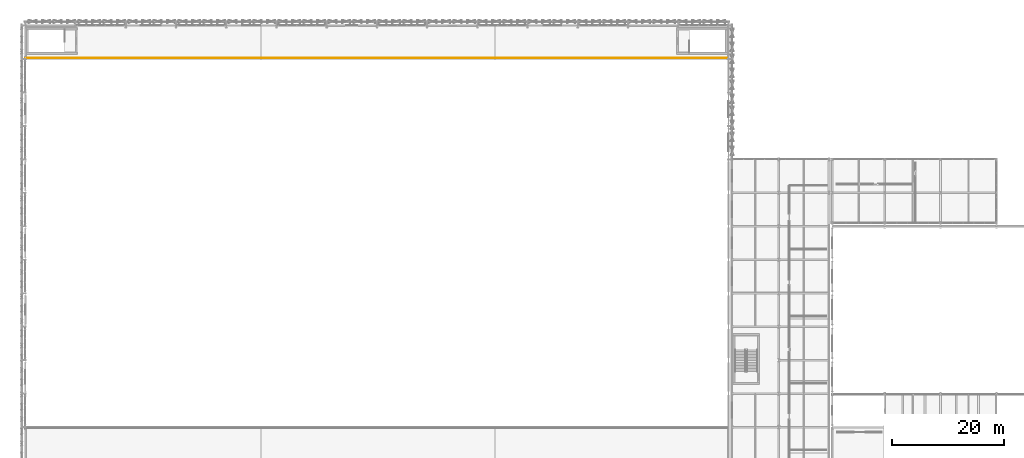
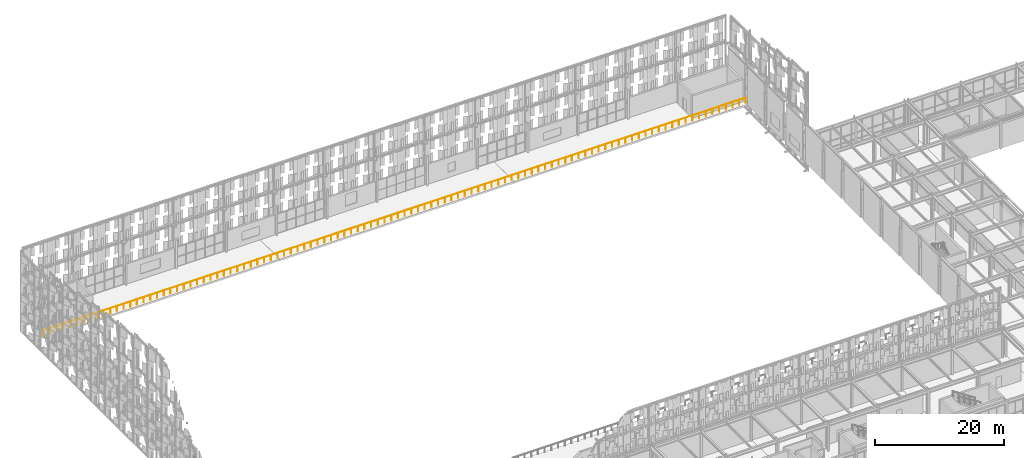
# One storey, part 197 of 210: 1 railing.
"""IFC4 building model written with IfcOpenShell, lengths in metres."""

from ifc_helpers import new_model, si_unit, direction, frame, origin, origin_2d, place, context, subcontext, project, spatial, circle, extrude, material, type_object, element, save


model = new_model("IFC4")

# Units and contexts
model_context = context("Model", 3, precision=1e-05, world=origin(), true_north=direction((0.0, 1.0)))
body_context = subcontext(model_context, "Body", "Model", "MODEL_VIEW")
ifc_project = project(units=[si_unit("LENGTHUNIT", "METRE"), si_unit("AREAUNIT", "SQUARE_METRE"), si_unit("VOLUMEUNIT", "CUBIC_METRE"), si_unit("PLANEANGLEUNIT", "RADIAN"), si_unit("MASSUNIT", "GRAM", prefix="KILO")], contexts=[model_context])

# Site, building, storey
site_placement = place(None, origin())
site = spatial("IfcSite", under=ifc_project, at=site_placement, CompositionType="ELEMENT")
building_placement = place(site_placement, origin())
building = spatial("IfcBuilding", under=site, at=building_placement, Name="Kaldris Quays Convention Centre", CompositionType="ELEMENT")
storey_placement = place(building_placement, frame((0.0, 0.0, 6.0)))
storey = spatial("IfcBuildingStorey", under=building, at=storey_placement, Name="L01", CompositionType="ELEMENT", Elevation=6.0)

# Railing
ifc_material = material(Name="Steel S355J2", Category="steel")
railing_type = type_object("IfcRailingType", Name="INTERIOR GUARDRAIL GR01", PredefinedType="GUARDRAIL", material=ifc_material)
railing_placement = place(storey_placement, frame((20.050048828125, 134.14990234375, 0.0)))
element("IfcRailing", 1, at=railing_placement, inside=storey, type_object=railing_type, Name="L01 Gallery Balustrade GRD-V1-GALN", PredefinedType="GUARDRAIL", context=body_context, shape_type="SweptSolid", body=[
    extrude(circle(Radius=0.02392578125, at=origin_2d()), frame((0.0, 0.0, 1.076171875), z_axis=(1.0, 0.0, 0.0), x_axis=(0.0, 1.0, 0.0)), (0.0, 0.0, 1.0), 125.89990234375),
    extrude(circle(Radius=0.02099609375, at=origin_2d()), origin(), (0.0, 0.0, 1.0), 1.052001953125),
    extrude(circle(Radius=0.02099609375, at=origin_2d()), frame((1.198974609375, 0.0, 0.0)), (0.0, 0.0, 1.0), 1.052001953125),
    extrude(circle(Radius=0.02099609375, at=origin_2d()), frame((2.398193359375, 0.0, 0.0)), (0.0, 0.0, 1.0), 1.052001953125),
    extrude(circle(Radius=0.02099609375, at=origin_2d()), frame((3.59716796875, 0.0, 0.0)), (0.0, 0.0, 1.0), 1.052001953125),
    extrude(circle(Radius=0.02099609375, at=origin_2d()), frame((4.796142578125, 0.0, 0.0)), (0.0, 0.0, 1.0), 1.052001953125),
    extrude(circle(Radius=0.02099609375, at=origin_2d()), frame((5.9951171875, 0.0, 0.0)), (0.0, 0.0, 1.0), 1.052001953125),
    extrude(circle(Radius=0.02099609375, at=origin_2d()), frame((7.1943359375, 0.0, 0.0)), (0.0, 0.0, 1.0), 1.052001953125),
    extrude(circle(Radius=0.02099609375, at=origin_2d()), frame((8.393310546875, 0.0, 0.0)), (0.0, 0.0, 1.0), 1.052001953125),
    extrude(circle(Radius=0.02099609375, at=origin_2d()), frame((9.59228515625, 0.0, 0.0)), (0.0, 0.0, 1.0), 1.052001953125),
    extrude(circle(Radius=0.02099609375, at=origin_2d()), frame((10.79150390625, 0.0, 0.0)), (0.0, 0.0, 1.0), 1.052001953125),
    extrude(circle(Radius=0.02099609375, at=origin_2d()), frame((11.990478515625, 0.0, 0.0)), (0.0, 0.0, 1.0), 1.052001953125),
    extrude(circle(Radius=0.02099609375, at=origin_2d()), frame((13.189453125, 0.0, 0.0)), (0.0, 0.0, 1.0), 1.052001953125),
    extrude(circle(Radius=0.02099609375, at=origin_2d()), frame((14.388671875, 0.0, 0.0)), (0.0, 0.0, 1.0), 1.052001953125),
    extrude(circle(Radius=0.02099609375, at=origin_2d()), frame((15.587646484375, 0.0, 0.0)), (0.0, 0.0, 1.0), 1.052001953125),
    extrude(circle(Radius=0.02099609375, at=origin_2d()), frame((16.78662109375, 0.0, 0.0)), (0.0, 0.0, 1.0), 1.052001953125),
    extrude(circle(Radius=0.02099609375, at=origin_2d()), frame((17.985595703125, 0.0, 0.0)), (0.0, 0.0, 1.0), 1.052001953125),
    extrude(circle(Radius=0.02099609375, at=origin_2d()), frame((19.184814453125, 0.0, 0.0)), (0.0, 0.0, 1.0), 1.052001953125),
    extrude(circle(Radius=0.02099609375, at=origin_2d()), frame((20.3837890625, 0.0, 0.0)), (0.0, 0.0, 1.0), 1.052001953125),
    extrude(circle(Radius=0.02099609375, at=origin_2d()), frame((21.582763671875, 0.0, 0.0)), (0.0, 0.0, 1.0), 1.052001953125),
    extrude(circle(Radius=0.02099609375, at=origin_2d()), frame((22.781982421875, 0.0, 0.0)), (0.0, 0.0, 1.0), 1.052001953125),
    extrude(circle(Radius=0.02099609375, at=origin_2d()), frame((23.98095703125, 0.0, 0.0)), (0.0, 0.0, 1.0), 1.052001953125),
    extrude(circle(Radius=0.02099609375, at=origin_2d()), frame((25.179931640625, 0.0, 0.0)), (0.0, 0.0, 1.0), 1.052001953125),
    extrude(circle(Radius=0.02099609375, at=origin_2d()), frame((26.37890625, 0.0, 0.0)), (0.0, 0.0, 1.0), 1.052001953125),
    extrude(circle(Radius=0.02099609375, at=origin_2d()), frame((27.578125, 0.0, 0.0)), (0.0, 0.0, 1.0), 1.052001953125),
    extrude(circle(Radius=0.02099609375, at=origin_2d()), frame((28.777099609375, 0.0, 0.0)), (0.0, 0.0, 1.0), 1.052001953125),
    extrude(circle(Radius=0.02099609375, at=origin_2d()), frame((29.97607421875, 0.0, 0.0)), (0.0, 0.0, 1.0), 1.052001953125),
    extrude(circle(Radius=0.02099609375, at=origin_2d()), frame((31.17529296875, 0.0, 0.0)), (0.0, 0.0, 1.0), 1.052001953125),
    extrude(circle(Radius=0.02099609375, at=origin_2d()), frame((32.374267578125, 0.0, 0.0)), (0.0, 0.0, 1.0), 1.052001953125),
    extrude(circle(Radius=0.02099609375, at=origin_2d()), frame((33.5732421875, 0.0, 0.0)), (0.0, 0.0, 1.0), 1.052001953125),
    extrude(circle(Radius=0.02099609375, at=origin_2d()), frame((34.7724609375, 0.0, 0.0)), (0.0, 0.0, 1.0), 1.052001953125),
    extrude(circle(Radius=0.02099609375, at=origin_2d()), frame((35.971435546875, 0.0, 0.0)), (0.0, 0.0, 1.0), 1.052001953125),
    extrude(circle(Radius=0.02099609375, at=origin_2d()), frame((37.17041015625, 0.0, 0.0)), (0.0, 0.0, 1.0), 1.052001953125),
    extrude(circle(Radius=0.02099609375, at=origin_2d()), frame((38.369384765625, 0.0, 0.0)), (0.0, 0.0, 1.0), 1.052001953125),
    extrude(circle(Radius=0.02099609375, at=origin_2d()), frame((39.568603515625, 0.0, 0.0)), (0.0, 0.0, 1.0), 1.052001953125),
    extrude(circle(Radius=0.02099609375, at=origin_2d()), frame((40.767578125, 0.0, 0.0)), (0.0, 0.0, 1.0), 1.052001953125),
    extrude(circle(Radius=0.02099609375, at=origin_2d()), frame((41.966552734375, 0.0, 0.0)), (0.0, 0.0, 1.0), 1.052001953125),
    extrude(circle(Radius=0.02099609375, at=origin_2d()), frame((43.165771484375, 0.0, 0.0)), (0.0, 0.0, 1.0), 1.052001953125),
    extrude(circle(Radius=0.02099609375, at=origin_2d()), frame((44.36474609375, 0.0, 0.0)), (0.0, 0.0, 1.0), 1.052001953125),
    extrude(circle(Radius=0.02099609375, at=origin_2d()), frame((45.563720703125, 0.0, 0.0)), (0.0, 0.0, 1.0), 1.052001953125),
    extrude(circle(Radius=0.02099609375, at=origin_2d()), frame((46.762939453125, 0.0, 0.0)), (0.0, 0.0, 1.0), 1.052001953125),
    extrude(circle(Radius=0.02099609375, at=origin_2d()), frame((47.9619140625, 0.0, 0.0)), (0.0, 0.0, 1.0), 1.052001953125),
    extrude(circle(Radius=0.02099609375, at=origin_2d()), frame((49.160888671875, 0.0, 0.0)), (0.0, 0.0, 1.0), 1.052001953125),
    extrude(circle(Radius=0.02099609375, at=origin_2d()), frame((50.35986328125, 0.0, 0.0)), (0.0, 0.0, 1.0), 1.052001953125),
    extrude(circle(Radius=0.02099609375, at=origin_2d()), frame((51.55908203125, 0.0, 0.0)), (0.0, 0.0, 1.0), 1.052001953125),
    extrude(circle(Radius=0.02099609375, at=origin_2d()), frame((52.758056640625, 0.0, 0.0)), (0.0, 0.0, 1.0), 1.052001953125),
    extrude(circle(Radius=0.02099609375, at=origin_2d()), frame((53.95703125, 0.0, 0.0)), (0.0, 0.0, 1.0), 1.052001953125),
    extrude(circle(Radius=0.02099609375, at=origin_2d()), frame((55.15625, 0.0, 0.0)), (0.0, 0.0, 1.0), 1.052001953125),
    extrude(circle(Radius=0.02099609375, at=origin_2d()), frame((56.355224609375, 0.0, 0.0)), (0.0, 0.0, 1.0), 1.052001953125),
    extrude(circle(Radius=0.02099609375, at=origin_2d()), frame((57.55419921875, 0.0, 0.0)), (0.0, 0.0, 1.0), 1.052001953125),
    extrude(circle(Radius=0.02099609375, at=origin_2d()), frame((58.753173828125, 0.0, 0.0)), (0.0, 0.0, 1.0), 1.052001953125),
    extrude(circle(Radius=0.02099609375, at=origin_2d()), frame((59.952392578125, 0.0, 0.0)), (0.0, 0.0, 1.0), 1.052001953125),
    extrude(circle(Radius=0.02099609375, at=origin_2d()), frame((61.1513671875, 0.0, 0.0)), (0.0, 0.0, 1.0), 1.052001953125),
    extrude(circle(Radius=0.02099609375, at=origin_2d()), frame((62.350341796875, 0.0, 0.0)), (0.0, 0.0, 1.0), 1.052001953125),
    extrude(circle(Radius=0.02099609375, at=origin_2d()), frame((63.549560546875, 0.0, 0.0)), (0.0, 0.0, 1.0), 1.052001953125),
    extrude(circle(Radius=0.02099609375, at=origin_2d()), frame((64.74853515625, 0.0, 0.0)), (0.0, 0.0, 1.0), 1.052001953125),
    extrude(circle(Radius=0.02099609375, at=origin_2d()), frame((65.947509765625, 0.0, 0.0)), (0.0, 0.0, 1.0), 1.052001953125),
    extrude(circle(Radius=0.02099609375, at=origin_2d()), frame((67.146728515625, 0.0, 0.0)), (0.0, 0.0, 1.0), 1.052001953125),
    extrude(circle(Radius=0.02099609375, at=origin_2d()), frame((68.345703125, 0.0, 0.0)), (0.0, 0.0, 1.0), 1.052001953125),
    extrude(circle(Radius=0.02099609375, at=origin_2d()), frame((69.544677734375, 0.0, 0.0)), (0.0, 0.0, 1.0), 1.052001953125),
    extrude(circle(Radius=0.02099609375, at=origin_2d()), frame((70.74365234375, 0.0, 0.0)), (0.0, 0.0, 1.0), 1.052001953125),
    extrude(circle(Radius=0.02099609375, at=origin_2d()), frame((71.94287109375, 0.0, 0.0)), (0.0, 0.0, 1.0), 1.052001953125),
    extrude(circle(Radius=0.02099609375, at=origin_2d()), frame((73.141845703125, 0.0, 0.0)), (0.0, 0.0, 1.0), 1.052001953125),
    extrude(circle(Radius=0.02099609375, at=origin_2d()), frame((74.3408203125, 0.0, 0.0)), (0.0, 0.0, 1.0), 1.052001953125),
    extrude(circle(Radius=0.02099609375, at=origin_2d()), frame((75.5400390625, 0.0, 0.0)), (0.0, 0.0, 1.0), 1.052001953125),
    extrude(circle(Radius=0.02099609375, at=origin_2d()), frame((76.739013671875, 0.0, 0.0)), (0.0, 0.0, 1.0), 1.052001953125),
    extrude(circle(Radius=0.02099609375, at=origin_2d()), frame((77.93798828125, 0.0, 0.0)), (0.0, 0.0, 1.0), 1.052001953125),
    extrude(circle(Radius=0.02099609375, at=origin_2d()), frame((79.136962890625, 0.0, 0.0)), (0.0, 0.0, 1.0), 1.052001953125),
    extrude(circle(Radius=0.02099609375, at=origin_2d()), frame((80.336181640625, 0.0, 0.0)), (0.0, 0.0, 1.0), 1.052001953125),
    extrude(circle(Radius=0.02099609375, at=origin_2d()), frame((81.53515625, 0.0, 0.0)), (0.0, 0.0, 1.0), 1.052001953125),
    extrude(circle(Radius=0.02099609375, at=origin_2d()), frame((82.734130859375, 0.0, 0.0)), (0.0, 0.0, 1.0), 1.052001953125),
    extrude(circle(Radius=0.02099609375, at=origin_2d()), frame((83.933349609375, 0.0, 0.0)), (0.0, 0.0, 1.0), 1.052001953125),
    extrude(circle(Radius=0.02099609375, at=origin_2d()), frame((85.13232421875, 0.0, 0.0)), (0.0, 0.0, 1.0), 1.052001953125),
    extrude(circle(Radius=0.02099609375, at=origin_2d()), frame((86.331298828125, 0.0, 0.0)), (0.0, 0.0, 1.0), 1.052001953125),
    extrude(circle(Radius=0.02099609375, at=origin_2d()), frame((87.530517578125, 0.0, 0.0)), (0.0, 0.0, 1.0), 1.052001953125),
    extrude(circle(Radius=0.02099609375, at=origin_2d()), frame((88.7294921875, 0.0, 0.0)), (0.0, 0.0, 1.0), 1.052001953125),
    extrude(circle(Radius=0.02099609375, at=origin_2d()), frame((89.928466796875, 0.0, 0.0)), (0.0, 0.0, 1.0), 1.052001953125),
    extrude(circle(Radius=0.02099609375, at=origin_2d()), frame((91.12744140625, 0.0, 0.0)), (0.0, 0.0, 1.0), 1.052001953125),
    extrude(circle(Radius=0.02099609375, at=origin_2d()), frame((92.32666015625, 0.0, 0.0)), (0.0, 0.0, 1.0), 1.052001953125),
    extrude(circle(Radius=0.02099609375, at=origin_2d()), frame((93.525634765625, 0.0, 0.0)), (0.0, 0.0, 1.0), 1.052001953125),
    extrude(circle(Radius=0.02099609375, at=origin_2d()), frame((94.724609375, 0.0, 0.0)), (0.0, 0.0, 1.0), 1.052001953125),
    extrude(circle(Radius=0.02099609375, at=origin_2d()), frame((95.923828125, 0.0, 0.0)), (0.0, 0.0, 1.0), 1.052001953125),
    extrude(circle(Radius=0.02099609375, at=origin_2d()), frame((97.122802734375, 0.0, 0.0)), (0.0, 0.0, 1.0), 1.052001953125),
    extrude(circle(Radius=0.02099609375, at=origin_2d()), frame((98.32177734375, 0.0, 0.0)), (0.0, 0.0, 1.0), 1.052001953125),
    extrude(circle(Radius=0.02099609375, at=origin_2d()), frame((99.52099609375, 0.0, 0.0)), (0.0, 0.0, 1.0), 1.052001953125),
    extrude(circle(Radius=0.02099609375, at=origin_2d()), frame((100.719970703125, 0.0, 0.0)), (0.0, 0.0, 1.0), 1.052001953125),
    extrude(circle(Radius=0.02099609375, at=origin_2d()), frame((101.9189453125, 0.0, 0.0)), (0.0, 0.0, 1.0), 1.052001953125),
    extrude(circle(Radius=0.02099609375, at=origin_2d()), frame((103.117919921875, 0.0, 0.0)), (0.0, 0.0, 1.0), 1.052001953125),
    extrude(circle(Radius=0.02099609375, at=origin_2d()), frame((104.317138671875, 0.0, 0.0)), (0.0, 0.0, 1.0), 1.052001953125),
    extrude(circle(Radius=0.02099609375, at=origin_2d()), frame((105.51611328125, 0.0, 0.0)), (0.0, 0.0, 1.0), 1.052001953125),
    extrude(circle(Radius=0.02099609375, at=origin_2d()), frame((106.715087890625, 0.0, 0.0)), (0.0, 0.0, 1.0), 1.052001953125),
    extrude(circle(Radius=0.02099609375, at=origin_2d()), frame((107.914306640625, 0.0, 0.0)), (0.0, 0.0, 1.0), 1.052001953125),
    extrude(circle(Radius=0.02099609375, at=origin_2d()), frame((109.11328125, 0.0, 0.0)), (0.0, 0.0, 1.0), 1.052001953125),
    extrude(circle(Radius=0.02099609375, at=origin_2d()), frame((110.312255859375, 0.0, 0.0)), (0.0, 0.0, 1.0), 1.052001953125),
    extrude(circle(Radius=0.02099609375, at=origin_2d()), frame((111.51123046875, 0.0, 0.0)), (0.0, 0.0, 1.0), 1.052001953125),
    extrude(circle(Radius=0.02099609375, at=origin_2d()), frame((112.71044921875, 0.0, 0.0)), (0.0, 0.0, 1.0), 1.052001953125),
    extrude(circle(Radius=0.02099609375, at=origin_2d()), frame((113.909423828125, 0.0, 0.0)), (0.0, 0.0, 1.0), 1.052001953125),
    extrude(circle(Radius=0.02099609375, at=origin_2d()), frame((115.1083984375, 0.0, 0.0)), (0.0, 0.0, 1.0), 1.052001953125),
    extrude(circle(Radius=0.02099609375, at=origin_2d()), frame((116.3076171875, 0.0, 0.0)), (0.0, 0.0, 1.0), 1.052001953125),
    extrude(circle(Radius=0.02099609375, at=origin_2d()), frame((117.506591796875, 0.0, 0.0)), (0.0, 0.0, 1.0), 1.052001953125),
    extrude(circle(Radius=0.02099609375, at=origin_2d()), frame((118.70556640625, 0.0, 0.0)), (0.0, 0.0, 1.0), 1.052001953125),
    extrude(circle(Radius=0.02099609375, at=origin_2d()), frame((119.90478515625, 0.0, 0.0)), (0.0, 0.0, 1.0), 1.052001953125),
    extrude(circle(Radius=0.02099609375, at=origin_2d()), frame((121.103759765625, 0.0, 0.0)), (0.0, 0.0, 1.0), 1.052001953125),
    extrude(circle(Radius=0.02099609375, at=origin_2d()), frame((122.302734375, 0.0, 0.0)), (0.0, 0.0, 1.0), 1.052001953125),
    extrude(circle(Radius=0.02099609375, at=origin_2d()), frame((123.501708984375, 0.0, 0.0)), (0.0, 0.0, 1.0), 1.052001953125),
    extrude(circle(Radius=0.02099609375, at=origin_2d()), frame((124.700927734375, 0.0, 0.0)), (0.0, 0.0, 1.0), 1.052001953125),
    extrude(circle(Radius=0.02099609375, at=origin_2d()), frame((125.89990234375, 0.0, 0.0)), (0.0, 0.0, 1.0), 1.052001953125),
])

save(model, "model.ifc")
